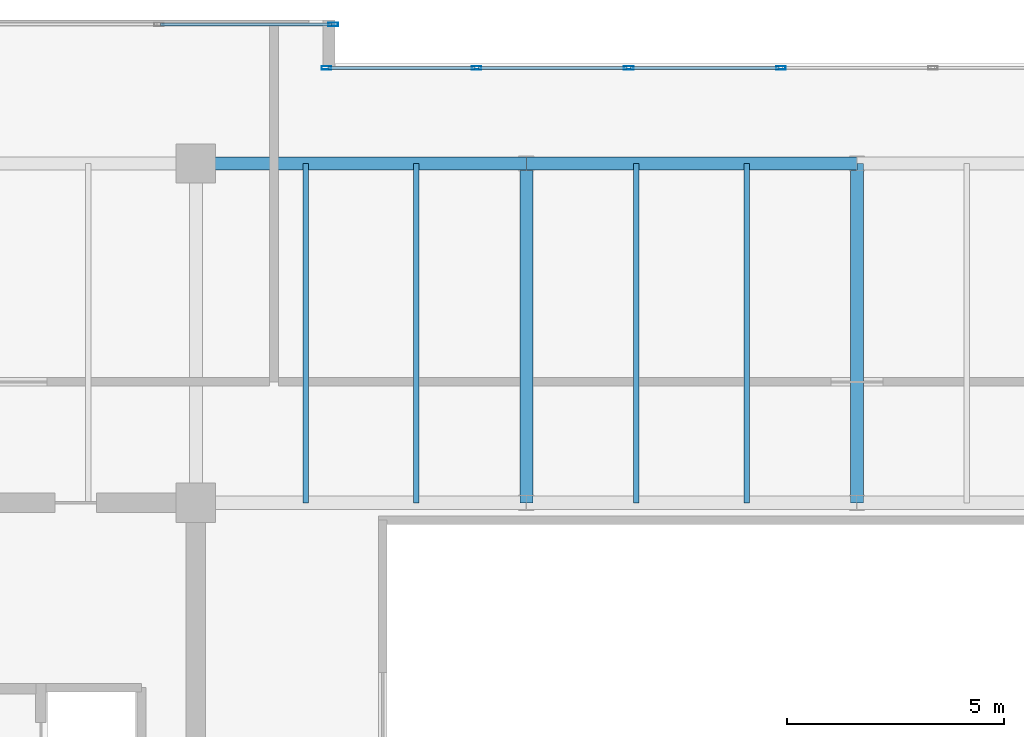
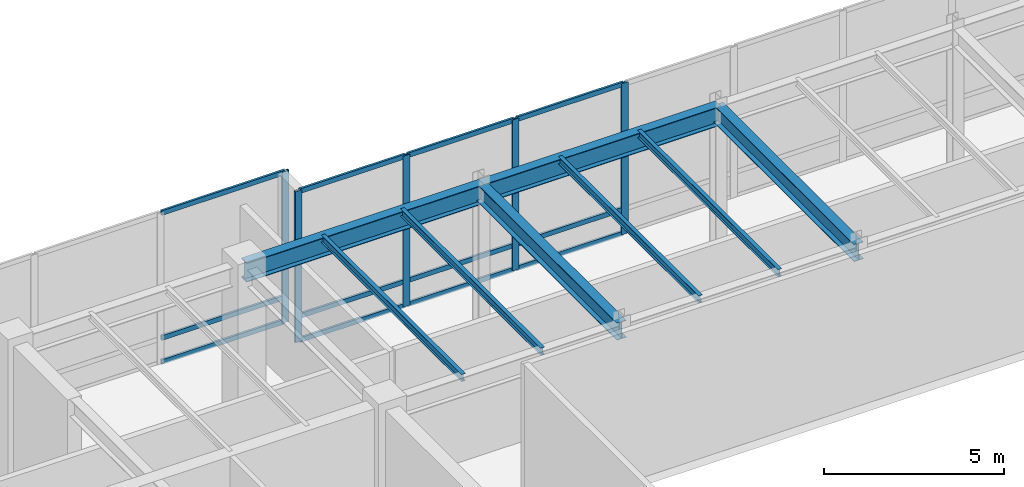
# One storey, part 19 of 30: 17 members, 8 beams, 2 elements without a shape of their own.
"""IFC4 building model written with IfcOpenShell, lengths in metres."""

from ifc_helpers import new_model, si_unit, direction, frame, origin, origin_2d, place, context, subcontext, project, spatial, hollow_rectangle, i_section, extrude, source, transform, mapped, material, layer, layer_set, material_profile, profile_set, type_object, type_shapes, element, aggregate, save


model = new_model("IFC4")

# Units and contexts
model_context = context("Model", 3, precision=1e-05, world=origin(), true_north=direction((0.0, 1.0)))
body_context = subcontext(model_context, "Body", "Model", "MODEL_VIEW")
ifc_project = project(units=[si_unit("LENGTHUNIT", "METRE"), si_unit("AREAUNIT", "SQUARE_METRE"), si_unit("VOLUMEUNIT", "CUBIC_METRE"), si_unit("PLANEANGLEUNIT", "RADIAN"), si_unit("MASSUNIT", "GRAM", prefix="KILO")], contexts=[model_context])

# Site, building, storey
site_placement = place(None, origin())
site = spatial("IfcSite", under=ifc_project, at=site_placement, CompositionType="ELEMENT")
building_placement = place(site_placement, origin())
building = spatial("IfcBuilding", under=site, at=building_placement, Name="Haelvirn Gate Laboratories", CompositionType="ELEMENT")
storey_placement = place(building_placement, frame((0.0, 0.0, 327.0)))
storey = spatial("IfcBuildingStorey", under=building, at=storey_placement, Name="L78", CompositionType="ELEMENT", Elevation=327.0)

# Beams
ifc_material_1 = material(Name="Steel SM355", Category="steel")
ifc_material_profile_1 = material_profile(ifc_material_1, i_section(OverallWidth=0.300048828125, OverallDepth=0.587890625, WebThickness=0.011962890625, FlangeThickness=0.02001953125, at=origin_2d()), Name="H-588x300x12x20")
ifc_profile_set_1 = profile_set([ifc_material_profile_1], Name="Steel SM355")
beam_type_1 = type_object("IfcBeamType", Name="BM-G-588", PredefinedType="BEAM", material=ifc_profile_set_1)
shared_shape_1 = source(origin(), body_context, "Body", "SweptSolid", [
    extrude(i_section(OverallWidth=0.300048828125, OverallDepth=0.587890625, WebThickness=0.011962890625, FlangeThickness=0.02001953125, at=origin_2d()), origin(), (0.0, 0.0, 1.0), 7.800048828125),
])
type_shapes(beam_type_1, [shared_shape_1])
for number, where, z_axis, x_axis, name in (
    (1, (29.800048828125, 33.800048828125, 4.825927734375), (0.0, 1.0, 0.0), (-1.0, 0.0, 0.0), "L78 Frame Girder X29.8 (33.8-41.6)"),
    (2, (37.39990234375, 33.800048828125, 4.825927734375), (0.0, 1.0, 0.0), (-1.0, 0.0, 0.0), "L78 Frame Girder X37.4 (33.8-41.6)"),
):
    element("IfcBeam", number, at=place(storey_placement, frame(where, z_axis=z_axis, x_axis=x_axis)), inside=storey, type_object=beam_type_1, Name=name, PredefinedType="BEAM", context=body_context, shape_type="MappedRepresentation", body=[
        mapped(shared_shape_1, transform((0.0, 0.0, 0.0), scale=1.0)),
    ])
ifc_material_profile_2 = material_profile(ifc_material_1, i_section(OverallWidth=0.300048828125, OverallDepth=0.64990234375, WebThickness=0.012939453125, FlangeThickness=0.02197265625, at=origin_2d()), Name="H-650x300x13x22")
ifc_profile_set_2 = profile_set([ifc_material_profile_2], Name="Steel SM355")
beam_type_2 = type_object("IfcBeamType", Name="BM-G-650", PredefinedType="BEAM", material=ifc_profile_set_2)
shared_shape_2 = source(origin(), body_context, "Body", "SweptSolid", [
    extrude(i_section(OverallWidth=0.300048828125, OverallDepth=0.64990234375, WebThickness=0.012939453125, FlangeThickness=0.02197265625, at=origin_2d()), origin(), (0.0, 0.0, 1.0), 7.60009765625),
])
beam_1_placement = place(storey_placement, frame((22.199951171875, 41.60009765625, 4.794921875), z_axis=(1.0, 0.0, 0.0), x_axis=(0.0, 1.0, 0.0)))
element("IfcBeam", 3, at=beam_1_placement, inside=storey, type_object=beam_type_2, Name="L78 Primary Girder Y41.6 (22.2-29.8)", PredefinedType="BEAM", context=body_context, shape_type="MappedRepresentation", body=[
    mapped(shared_shape_2, transform((0.0, 0.0, 0.0), scale=1.0)),
])
shared_shape_3 = source(origin(), body_context, "Body", "SweptSolid", [
    extrude(i_section(OverallWidth=0.300048828125, OverallDepth=0.64990234375, WebThickness=0.012939453125, FlangeThickness=0.02197265625, at=origin_2d()), origin(), (0.0, 0.0, 1.0), 7.599853515625),
])
type_shapes(beam_type_2, [shared_shape_2, shared_shape_3])
beam_2_placement = place(storey_placement, frame((29.800048828125, 41.60009765625, 4.794921875), z_axis=(1.0, 0.0, 0.0), x_axis=(0.0, 1.0, 0.0)))
element("IfcBeam", 4, at=beam_2_placement, inside=storey, type_object=beam_type_2, Name="L78 Primary Girder Y41.6 (29.8-37.4)", PredefinedType="BEAM", context=body_context, shape_type="MappedRepresentation", body=[
    mapped(shared_shape_3, transform((0.0, 0.0, 0.0), scale=1.0)),
])
ifc_material_profile_3 = material_profile(ifc_material_1, i_section(OverallWidth=0.125, OverallDepth=0.25, WebThickness=0.006103515625, FlangeThickness=0.009033203125, at=origin_2d()), Name="H-250x125x6x9")
ifc_profile_set_3 = profile_set([ifc_material_profile_3], Name="Steel SM355")
beam_type_3 = type_object("IfcBeamType", Name="BM-J-250", PredefinedType="JOIST", material=ifc_profile_set_3)
shared_shape_4 = source(origin(), body_context, "Body", "SweptSolid", [
    extrude(i_section(OverallWidth=0.125, OverallDepth=0.25, WebThickness=0.006103515625, FlangeThickness=0.009033203125, at=origin_2d()), origin(), (0.0, 0.0, 1.0), 7.800048828125),
])
type_shapes(beam_type_3, [shared_shape_4])
for number, where, z_axis, x_axis, name in (
    (5, (24.72998046875, 33.800048828125, 4.9951171875), (0.0, 1.0, 0.0), (-1.0, 0.0, 0.0), "L78 Composite Lab Joist North X24.73"),
    (6, (27.27001953125, 33.800048828125, 4.9951171875), (0.0, 1.0, 0.0), (-1.0, 0.0, 0.0), "L78 Composite Lab Joist North X27.27"),
    (7, (32.330078125, 33.800048828125, 4.9951171875), (0.0, 1.0, 0.0), (-1.0, 0.0, 0.0), "L78 Composite Lab Joist North X32.33"),
    (8, (34.8701171875, 33.800048828125, 4.9951171875), (0.0, 1.0, 0.0), (-1.0, 0.0, 0.0), "L78 Composite Lab Joist North X34.87"),
):
    element("IfcBeam", number, at=place(storey_placement, frame(where, z_axis=z_axis, x_axis=x_axis)), inside=storey, type_object=beam_type_3, Name=name, PredefinedType="JOIST", context=body_context, shape_type="MappedRepresentation", body=[
        mapped(shared_shape_4, transform((0.0, 0.0, 0.0), scale=1.0)),
    ])

# Curtain wall, members
ifc_material_2 = material(Name="Anodised bronze unitised aluminium & triple low-E glass", Category="aluminium")
ifc_layer = layer(ifc_material_2, 0.19189453125, Name="CW-SYS-6")
ifc_layer_set = layer_set([ifc_layer], Name="Anodised bronze unitised aluminium & triple low-E glass")
curtain_wall_type = type_object("IfcCurtainWallType", Name="CW-SYS-6", PredefinedType="NOTDEFINED", material=ifc_layer_set)
curtain_wall_1_placement = place(storey_placement, origin())
curtain_wall_1 = element("IfcCurtainWall", 9, at=curtain_wall_1_placement, inside=storey, type_object=curtain_wall_type, Name="L78 Unitised Curtain Wall CW-L78-P0-E12-1", PredefinedType="NOTDEFINED")
ifc_material_3 = material(Name="Extruded aluminium 6063-T6 (anodised bronze)", Category="aluminium")
ifc_material_profile_4 = material_profile(ifc_material_3, hollow_rectangle(XDim=0.080078125, YDim=0.219970703125, WallThickness=0.006103515625, at=origin_2d()), Name="CWM-220x80x6")
ifc_profile_set_4 = profile_set([ifc_material_profile_4], Name="Extruded aluminium 6063-T6 (anodised bronze)")
member_type_1 = type_object("IfcMemberType", Name="CWM-T220", PredefinedType="MULLION", material=ifc_profile_set_4)
shared_shape_5 = source(origin(), body_context, "Body", "SweptSolid", [
    extrude(hollow_rectangle(XDim=0.080078125, YDim=0.219970703125, WallThickness=0.006103515625, at=origin_2d()), origin(), (0.0, 0.0, 1.0), 5.1201171875),
])
type_shapes(member_type_1, [shared_shape_5])
member_1_placement = place(storey_placement, frame((25.199951171875, 43.800048828125, 0.0), z_axis=(0.0, 0.0, 1.0), x_axis=(0.0, 1.0, 0.0)))
member_1 = element("IfcMember", 10, at=member_1_placement, type_object=member_type_1, Name="CW6 mullion 1", PredefinedType="MULLION", context=body_context, shape_type="MappedRepresentation", body=[
    mapped(shared_shape_5, transform((0.0, 0.0, 0.0), scale=1.0)),
])
member_2_placement = place(storey_placement, frame((28.6572265625, 43.800048828125, 0.0), z_axis=(0.0, 0.0, 1.0), x_axis=(0.0, 1.0, 0.0)))
member_2 = element("IfcMember", 11, at=member_2_placement, type_object=member_type_1, Name="CW6 mullion 2", PredefinedType="MULLION", context=body_context, shape_type="MappedRepresentation", body=[
    mapped(shared_shape_5, transform((0.0, 0.0, 0.0), scale=1.0)),
])
member_3_placement = place(storey_placement, frame((32.154296875, 43.800048828125, 0.0), z_axis=(0.0, 0.0, 1.0), x_axis=(0.0, 1.0, 0.0)))
member_3 = element("IfcMember", 12, at=member_3_placement, type_object=member_type_1, Name="CW6 mullion 3", PredefinedType="MULLION", context=body_context, shape_type="MappedRepresentation", body=[
    mapped(shared_shape_5, transform((0.0, 0.0, 0.0), scale=1.0)),
])
member_4_placement = place(storey_placement, frame((35.6513671875, 43.800048828125, 0.0), z_axis=(0.0, 0.0, 1.0), x_axis=(0.0, 1.0, 0.0)))
member_4 = element("IfcMember", 13, at=member_4_placement, type_object=member_type_1, Name="CW6 mullion 4", PredefinedType="MULLION", context=body_context, shape_type="MappedRepresentation", body=[
    mapped(shared_shape_5, transform((0.0, 0.0, 0.0), scale=1.0)),
])

curtain_wall_2_placement = place(storey_placement, origin())
curtain_wall_2 = element("IfcCurtainWall", 14, at=curtain_wall_2_placement, inside=storey, type_object=curtain_wall_type, Name="L78 Unitised Curtain Wall CW-L78-P0-E14-1", PredefinedType="NOTDEFINED")
member_5_placement = place(storey_placement, frame((25.360107421875, 44.800048828125, 0.0), z_axis=(0.0, 0.0, 1.0), x_axis=(0.0, 1.0, 0.0)))
member_5 = element("IfcMember", 15, at=member_5_placement, type_object=member_type_1, Name="CW6 mullion 5", PredefinedType="MULLION", context=body_context, shape_type="MappedRepresentation", body=[
    mapped(shared_shape_5, transform((0.0, 0.0, 0.0), scale=1.0)),
])
ifc_material_profile_5 = material_profile(ifc_material_3, hollow_rectangle(XDim=0.070068359375, YDim=0.159912109375, WallThickness=0.0048828125, at=origin_2d()), Name="CWT-160x70x5")
ifc_profile_set_5 = profile_set([ifc_material_profile_5], Name="Extruded aluminium 6063-T6 (anodised bronze)")
member_type_2 = type_object("IfcMemberType", Name="CWT-T160", PredefinedType="USERDEFINED", material=ifc_profile_set_5)
shared_shape_6 = source(origin(), body_context, "Body", "SweptSolid", [
    extrude(hollow_rectangle(XDim=0.070068359375, YDim=0.159912109375, WallThickness=0.0048828125, at=origin_2d()), origin(), (0.0, 0.0, 1.0), 3.93017578125),
])
member_6_placement = place(storey_placement, frame((21.389892578125, 44.800048828125, 0.034912109375), z_axis=(1.0, 0.0, 0.0), x_axis=(0.0, 1.0, 0.0)))
member_6 = element("IfcMember", 16, at=member_6_placement, type_object=member_type_2, Name="CW6 transom 4.1", ObjectType="TRANSOM", PredefinedType="USERDEFINED", context=body_context, shape_type="MappedRepresentation", body=[
    mapped(shared_shape_6, transform((0.0, 0.0, 0.0), scale=1.0)),
])
member_7_placement = place(storey_placement, frame((21.389892578125, 44.800048828125, 0.85009765625), z_axis=(1.0, 0.0, 0.0), x_axis=(0.0, 1.0, 0.0)))
member_7 = element("IfcMember", 17, at=member_7_placement, type_object=member_type_2, Name="CW6 transom 4.2", ObjectType="TRANSOM", PredefinedType="USERDEFINED", context=body_context, shape_type="MappedRepresentation", body=[
    mapped(shared_shape_6, transform((0.0, 0.0, 0.0), scale=1.0)),
])
member_8_placement = place(storey_placement, frame((21.389892578125, 44.800048828125, 5.0849609375), z_axis=(1.0, 0.0, 0.0), x_axis=(0.0, 1.0, 0.0)))
member_8 = element("IfcMember", 18, at=member_8_placement, type_object=member_type_2, Name="CW6 transom 4.3", ObjectType="TRANSOM", PredefinedType="USERDEFINED", context=body_context, shape_type="MappedRepresentation", body=[
    mapped(shared_shape_6, transform((0.0, 0.0, 0.0), scale=1.0)),
])
aggregate(curtain_wall_2, [member_5, member_6, member_7, member_8])

# Member
shared_shape_7 = source(origin(), body_context, "Body", "SweptSolid", [
    extrude(hollow_rectangle(XDim=0.070068359375, YDim=0.159912109375, WallThickness=0.0048828125, at=origin_2d()), origin(), (0.0, 0.0, 1.0), 3.377197265625),
])
member_9_placement = place(storey_placement, frame((25.239990234375, 43.800048828125, 0.034912109375), z_axis=(1.0, 0.0, 0.0), x_axis=(0.0, 1.0, 0.0)))
member_9 = element("IfcMember", 19, at=member_9_placement, type_object=member_type_2, Name="CW6 transom 1.1", ObjectType="TRANSOM", PredefinedType="USERDEFINED", context=body_context, shape_type="MappedRepresentation", body=[
    mapped(shared_shape_7, transform((0.0, 0.0, 0.0), scale=1.0)),
])

member_10_placement = place(storey_placement, frame((25.239990234375, 43.800048828125, 0.85009765625), z_axis=(1.0, 0.0, 0.0), x_axis=(0.0, 1.0, 0.0)))
member_10 = element("IfcMember", 20, at=member_10_placement, type_object=member_type_2, Name="CW6 transom 1.2", ObjectType="TRANSOM", PredefinedType="USERDEFINED", context=body_context, shape_type="MappedRepresentation", body=[
    mapped(shared_shape_7, transform((0.0, 0.0, 0.0), scale=1.0)),
])

member_11_placement = place(storey_placement, frame((25.239990234375, 43.800048828125, 5.0849609375), z_axis=(1.0, 0.0, 0.0), x_axis=(0.0, 1.0, 0.0)))
member_11 = element("IfcMember", 21, at=member_11_placement, type_object=member_type_2, Name="CW6 transom 1.3", ObjectType="TRANSOM", PredefinedType="USERDEFINED", context=body_context, shape_type="MappedRepresentation", body=[
    mapped(shared_shape_7, transform((0.0, 0.0, 0.0), scale=1.0)),
])

shared_shape_8 = source(origin(), body_context, "Body", "SweptSolid", [
    extrude(hollow_rectangle(XDim=0.070068359375, YDim=0.159912109375, WallThickness=0.0048828125, at=origin_2d()), origin(), (0.0, 0.0, 1.0), 3.417236328125),
])
member_12_placement = place(storey_placement, frame((28.697021484375, 43.800048828125, 0.034912109375), z_axis=(1.0, 0.0, 0.0), x_axis=(0.0, 1.0, 0.0)))
member_12 = element("IfcMember", 22, at=member_12_placement, type_object=member_type_2, Name="CW6 transom 2.1", ObjectType="TRANSOM", PredefinedType="USERDEFINED", context=body_context, shape_type="MappedRepresentation", body=[
    mapped(shared_shape_8, transform((0.0, 0.0, 0.0), scale=1.0)),
])

member_13_placement = place(storey_placement, frame((28.697021484375, 43.800048828125, 0.85009765625), z_axis=(1.0, 0.0, 0.0), x_axis=(0.0, 1.0, 0.0)))
member_13 = element("IfcMember", 23, at=member_13_placement, type_object=member_type_2, Name="CW6 transom 2.2", ObjectType="TRANSOM", PredefinedType="USERDEFINED", context=body_context, shape_type="MappedRepresentation", body=[
    mapped(shared_shape_8, transform((0.0, 0.0, 0.0), scale=1.0)),
])

member_14_placement = place(storey_placement, frame((28.697021484375, 43.800048828125, 5.0849609375), z_axis=(1.0, 0.0, 0.0), x_axis=(0.0, 1.0, 0.0)))
member_14 = element("IfcMember", 24, at=member_14_placement, type_object=member_type_2, Name="CW6 transom 2.3", ObjectType="TRANSOM", PredefinedType="USERDEFINED", context=body_context, shape_type="MappedRepresentation", body=[
    mapped(shared_shape_8, transform((0.0, 0.0, 0.0), scale=1.0)),
])

shared_shape_9 = source(origin(), body_context, "Body", "SweptSolid", [
    extrude(hollow_rectangle(XDim=0.070068359375, YDim=0.159912109375, WallThickness=0.0048828125, at=origin_2d()), origin(), (0.0, 0.0, 1.0), 3.4169921875),
])
type_shapes(member_type_2, [shared_shape_6, shared_shape_7, shared_shape_8, shared_shape_9])
member_15_placement = place(storey_placement, frame((32.1943359375, 43.800048828125, 0.034912109375), z_axis=(1.0, 0.0, 0.0), x_axis=(0.0, 1.0, 0.0)))
member_15 = element("IfcMember", 25, at=member_15_placement, type_object=member_type_2, Name="CW6 transom 3.1", ObjectType="TRANSOM", PredefinedType="USERDEFINED", context=body_context, shape_type="MappedRepresentation", body=[
    mapped(shared_shape_9, transform((0.0, 0.0, 0.0), scale=1.0)),
])

member_16_placement = place(storey_placement, frame((32.1943359375, 43.800048828125, 0.85009765625), z_axis=(1.0, 0.0, 0.0), x_axis=(0.0, 1.0, 0.0)))
member_16 = element("IfcMember", 26, at=member_16_placement, type_object=member_type_2, Name="CW6 transom 3.2", ObjectType="TRANSOM", PredefinedType="USERDEFINED", context=body_context, shape_type="MappedRepresentation", body=[
    mapped(shared_shape_9, transform((0.0, 0.0, 0.0), scale=1.0)),
])

member_17_placement = place(storey_placement, frame((32.1943359375, 43.800048828125, 5.0849609375), z_axis=(1.0, 0.0, 0.0), x_axis=(0.0, 1.0, 0.0)))
member_17 = element("IfcMember", 27, at=member_17_placement, type_object=member_type_2, Name="CW6 transom 3.3", ObjectType="TRANSOM", PredefinedType="USERDEFINED", context=body_context, shape_type="MappedRepresentation", body=[
    mapped(shared_shape_9, transform((0.0, 0.0, 0.0), scale=1.0)),
])

aggregate(curtain_wall_1, [member_1, member_2, member_3, member_4, member_9, member_10, member_11, member_12, member_13, member_14, member_15, member_16, member_17])

save(model, "model.ifc")
